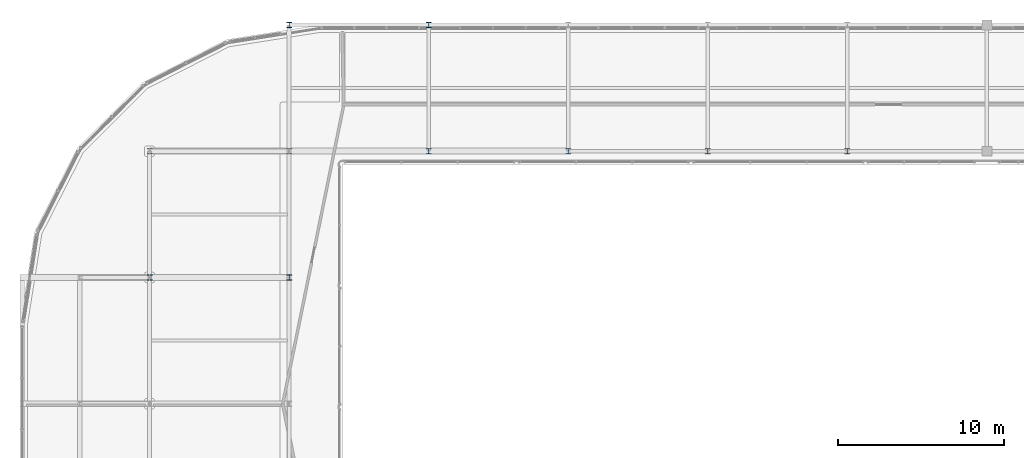
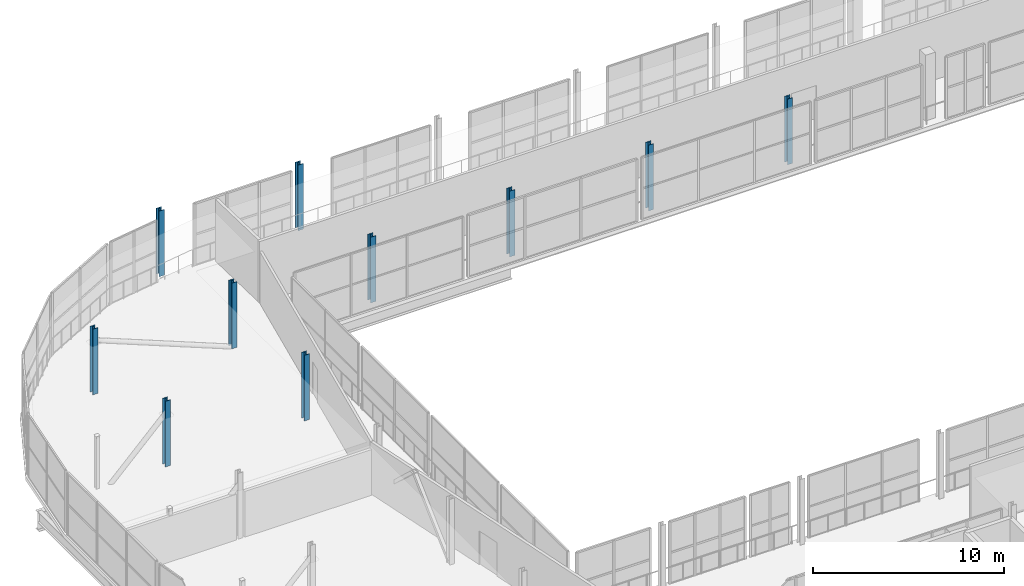
# One storey, part 6 of 151: 10 columns.
"""IFC4 building model written with IfcOpenShell, lengths in metres."""

from ifc_helpers import new_model, si_unit, direction, frame, origin, origin_2d, place, context, subcontext, project, spatial, i_section, extrude, material, material_profile, profile_set, type_object, element, save


model = new_model("IFC4")

# Units and contexts
model_context = context("Model", 3, precision=1e-05, world=origin(), true_north=direction((0.0, 1.0)))
body_context = subcontext(model_context, "Body", "Model", "MODEL_VIEW")
ifc_project = project(units=[si_unit("LENGTHUNIT", "METRE"), si_unit("AREAUNIT", "SQUARE_METRE"), si_unit("VOLUMEUNIT", "CUBIC_METRE"), si_unit("PLANEANGLEUNIT", "RADIAN"), si_unit("MASSUNIT", "GRAM", prefix="KILO")], contexts=[model_context])

# Site, building, storey
site_placement = place(None, origin())
site = spatial("IfcSite", under=ifc_project, at=site_placement, CompositionType="ELEMENT")
building_placement = place(site_placement, origin())
building = spatial("IfcBuilding", under=site, at=building_placement, Name="Zuvorla Pavilion Media Centre", CompositionType="ELEMENT")
storey_placement = place(building_placement, frame((0.0, 0.0, 13.800048828125)))
storey = spatial("IfcBuildingStorey", under=building, at=storey_placement, Name="L03", CompositionType="ELEMENT", Elevation=13.800048828125)

# Columns
ifc_material = material(Name="Steel S355", Category="steel")
ifc_material_profile = material_profile(ifc_material, i_section(OverallWidth=0.30908203125, OverallDepth=0.320556640625, WebThickness=0.013916015625, FlangeThickness=0.021728515625, FilletRadius=0.01513671875, at=origin_2d()), Name="UC 305x305x137")
ifc_profile_set = profile_set([ifc_material_profile], Name="Steel S355")
column_type = type_object("IfcColumnType", Name="COL-UC305", PredefinedType="COLUMN", material=ifc_profile_set)
for number, where, z_axis, x_axis, name in (
    (1, (16.39990234375, 74.39990234375, 0.0), (0.0, 0.0, 1.0), (1.0, 0.0, 0.0), "L03 column C10 722"),
    (2, (24.800048828125, 74.39990234375, 0.0), (0.0, 0.0, 1.0), (1.0, 0.0, 0.0), "L03 column C10 727"),
    (3, (16.39990234375, 82.0, 0.0), (0.0, 0.0, 1.0), (1.0, 0.0, 0.0), "L03 column C10 746"),
    (4, (24.800048828125, 82.0, 0.0), (0.0, 0.0, 1.0), (1.0, 0.0, 0.0), "L03 column C10 751"),
    (5, (33.199951171875, 82.0, 0.0), (0.0, 0.0, 1.0), (1.0, 0.0, 0.0), "L03 column C10 756"),
    (6, (41.60009765625, 82.0, 0.0), (0.0, 0.0, 1.0), (1.0, 0.0, 0.0), "L03 column C10 761"),
    (7, (50.0, 82.0, 0.0), (0.0, 0.0, 1.0), (1.0, 0.0, 0.0), "L03 column C10 766"),
    (8, (58.39990234375, 82.0, 0.0), (0.0, 0.0, 1.0), (1.0, 0.0, 0.0), "L03 column C10 771"),
    (9, (24.800048828125, 89.60009765625, 0.0), (0.0, 0.0, 1.0), (1.0, 0.0, 0.0), "L03 column C10 843"),
    (10, (33.199951171875, 89.60009765625, 0.0), (0.0, 0.0, 1.0), (1.0, 0.0, 0.0), "L03 column C10 848"),
):
    element("IfcColumn", number, at=place(storey_placement, frame(where, z_axis=z_axis, x_axis=x_axis)), inside=storey, type_object=column_type, Name=name, PredefinedType="COLUMN", context=body_context, shape_type="SweptSolid", body=[
        extrude(i_section(OverallWidth=0.30908203125, OverallDepth=0.320556640625, WebThickness=0.013916015625, FlangeThickness=0.021728515625, FilletRadius=0.01513671875, at=origin_2d()), origin(), (0.0, 0.0, 1.0), 4.199951171875),
    ])

save(model, "model.ifc")
